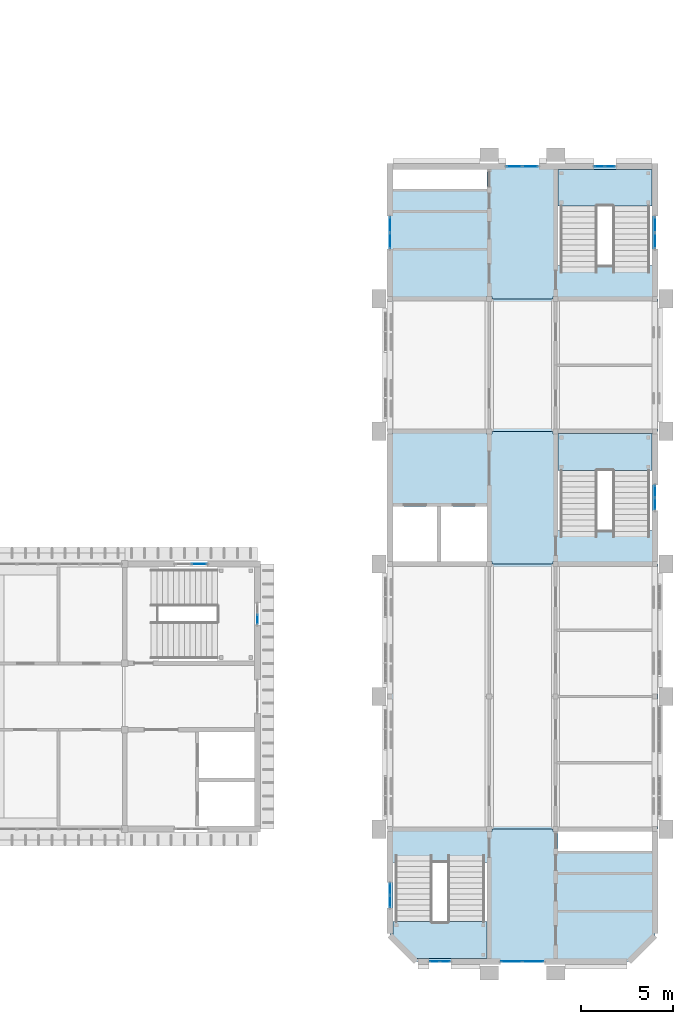
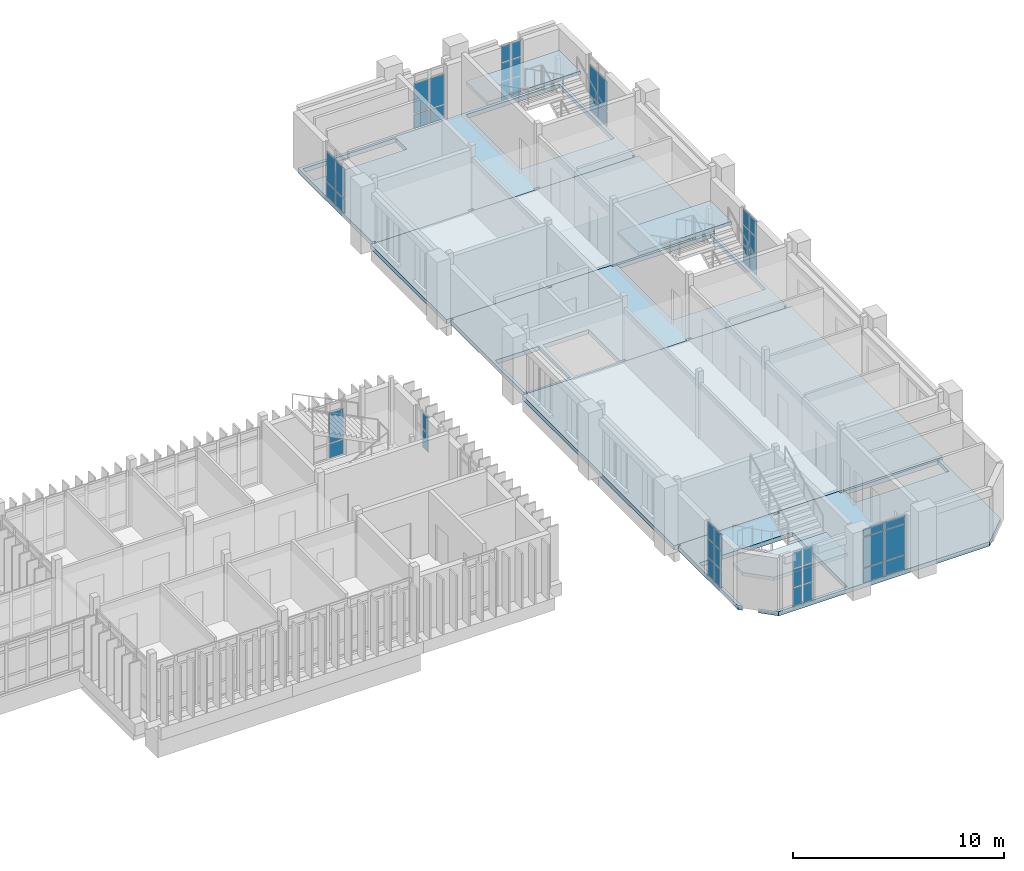
# One storey, part 35 of 69: 46 plates, 8 slabs, 13 elements without a shape of their own.
"""IFC4 building model written with IfcOpenShell, lengths in metres."""

from ifc_helpers import new_model, si_unit, direction, frame, origin, origin_2d, place, context, subcontext, project, spatial, polyline, rectangle, outline, extrude, material, layer, layer_set, type_object, element, aggregate, save


model = new_model("IFC4")

# Units and contexts
model_context = context("Model", 3, precision=1e-05, world=origin(), true_north=direction((0.0, 1.0)))
body_context = subcontext(model_context, "Body", "Model", "MODEL_VIEW")
ifc_project = project(units=[si_unit("LENGTHUNIT", "METRE"), si_unit("AREAUNIT", "SQUARE_METRE"), si_unit("VOLUMEUNIT", "CUBIC_METRE"), si_unit("PLANEANGLEUNIT", "RADIAN"), si_unit("MASSUNIT", "GRAM", prefix="KILO")], contexts=[model_context])

# Site, building, storey
site_placement = place(None, origin())
site = spatial("IfcSite", under=ifc_project, at=site_placement, CompositionType="ELEMENT")
building_placement = place(site_placement, origin())
building = spatial("IfcBuilding", under=site, at=building_placement, Name="Mazhai Court Health Centre", CompositionType="ELEMENT")
storey_placement = place(building_placement, frame((0.0, 0.0, 6.300048828125)))
storey = spatial("IfcBuildingStorey", under=building, at=storey_placement, Name="L01", CompositionType="ELEMENT", Elevation=6.300048828125)

# Curtain wall, plates
ifc_material_1 = material(Name="Teak timber frame, glazed", Category="wood")
ifc_layer_1 = layer(ifc_material_1, 0.10009765625)
ifc_layer_set_1 = layer_set([ifc_layer_1], Name="CURTAIN WALL TIMBER 900")
curtain_wall_type_1 = type_object("IfcCurtainWallType", Name="CURTAIN WALL TIMBER 900", PredefinedType="NOTDEFINED", material=ifc_layer_set_1)
curtain_wall_1_placement = place(storey_placement, origin())
curtain_wall_1 = element("IfcCurtainWall", 1, at=curtain_wall_1_placement, inside=storey, type_object=curtain_wall_type_1, Name="CW-V4-L01-B7", PredefinedType="NOTDEFINED")
ifc_material_2 = material(Name="Glass IGU 28 mm", Category="glass")
ifc_layer_2 = layer(ifc_material_2, 0.028076171875)
ifc_layer_set_2 = layer_set([ifc_layer_2], Name="CW PANEL IGU 28")
plate_type = type_object("IfcPlateType", Name="CW PANEL IGU 28", PredefinedType="CURTAIN_PANEL", material=ifc_layer_set_2)
plate_1_placement = place(storey_placement, frame((125.43505859375, 27.800048828125, 0.059814453125), z_axis=(0.0, 0.0, 1.0), x_axis=(1.0, 0.0, 0.0)))
plate_1 = element("IfcPlate", 2, at=plate_1_placement, type_object=plate_type, Name="CW panel 2.1", PredefinedType="CURTAIN_PANEL", context=body_context, shape_type="SweptSolid", body=[
    extrude(rectangle(XDim=0.81005859375, YDim=0.028076171875, at=origin_2d()), origin(), (0.0, 0.0, 1.0), 0.81005859375),
])
plate_2_placement = place(storey_placement, frame((125.43505859375, 27.800048828125, 0.93017578125), z_axis=(0.0, 0.0, 1.0), x_axis=(1.0, 0.0, 0.0)))
plate_2 = element("IfcPlate", 3, at=plate_2_placement, type_object=plate_type, Name="CW panel 2.2", PredefinedType="CURTAIN_PANEL", context=body_context, shape_type="SweptSolid", body=[
    extrude(rectangle(XDim=0.81005859375, YDim=0.028076171875, at=origin_2d()), origin(), (0.0, 0.0, 1.0), 1.739990234375),
])
aggregate(curtain_wall_1, [plate_1, plate_2])

ifc_material_3 = material(Name="Teak timber frame, glazed", Category="wood")
ifc_layer_3 = layer(ifc_material_3, 0.10009765625)
ifc_layer_set_3 = layer_set([ifc_layer_3], Name="CURTAIN WALL TIMBER 600")
curtain_wall_type_2 = type_object("IfcCurtainWallType", Name="CURTAIN WALL TIMBER 600", PredefinedType="NOTDEFINED", material=ifc_layer_set_3)
curtain_wall_2_placement = place(storey_placement, origin())
curtain_wall_2 = element("IfcCurtainWall", 4, at=curtain_wall_2_placement, inside=storey, type_object=curtain_wall_type_2, Name="CW-V4-L01-ESTAIR1", PredefinedType="NOTDEFINED")
plate_3_placement = place(storey_placement, frame((128.60009765625, 24.794921875, 1.1298828125), z_axis=(0.0, 0.0, 1.0), x_axis=(0.0, -1.0, 0.0)))
plate_3 = element("IfcPlate", 5, at=plate_3_placement, type_object=plate_type, Name="CW panel 2.2", PredefinedType="CURTAIN_PANEL", context=body_context, shape_type="SweptSolid", body=[
    extrude(rectangle(XDim=0.510009765625, YDim=0.028076171875, at=origin_2d()), origin(), (0.0, 0.0, 1.0), 1.0400390625),
])
plate_4_placement = place(storey_placement, frame((128.60009765625, 24.794921875, 2.22998046875), z_axis=(0.0, 0.0, 1.0), x_axis=(0.0, -1.0, 0.0)))
plate_4 = element("IfcPlate", 6, at=plate_4_placement, type_object=plate_type, Name="CW panel 2.3", PredefinedType="CURTAIN_PANEL", context=body_context, shape_type="SweptSolid", body=[
    extrude(rectangle(XDim=0.510009765625, YDim=0.028076171875, at=origin_2d()), origin(), (0.0, 0.0, 1.0), 0.909912109375),
])
aggregate(curtain_wall_2, [plate_3, plate_4])

curtain_wall_3_placement = place(storey_placement, origin())
curtain_wall_3 = element("IfcCurtainWall", 7, at=curtain_wall_3_placement, inside=storey, type_object=curtain_wall_type_2, Name="CW-V6-L01-A0", PredefinedType="NOTDEFINED")
plate_5_placement = place(storey_placement, frame((135.800048828125, 9.465087890625, 0.06005859375), z_axis=(0.0, 0.0, 1.0), x_axis=(0.0, 1.0, 0.0)))
plate_5 = element("IfcPlate", 8, at=plate_5_placement, type_object=plate_type, Name="CW panel 1.1", PredefinedType="CURTAIN_PANEL", context=body_context, shape_type="SweptSolid", body=[
    extrude(rectangle(XDim=0.610107421875, YDim=0.028076171875, at=origin_2d()), origin(), (0.0, 0.0, 1.0), 1.010009765625),
])
plate_6_placement = place(storey_placement, frame((135.800048828125, 9.465087890625, 1.1298828125), z_axis=(0.0, 0.0, 1.0), x_axis=(0.0, 1.0, 0.0)))
plate_6 = element("IfcPlate", 9, at=plate_6_placement, type_object=plate_type, Name="CW panel 1.2", PredefinedType="CURTAIN_PANEL", context=body_context, shape_type="SweptSolid", body=[
    extrude(rectangle(XDim=0.610107421875, YDim=0.028076171875, at=origin_2d()), origin(), (0.0, 0.0, 1.0), 1.06005859375),
])
plate_7_placement = place(storey_placement, frame((135.800048828125, 9.465087890625, 2.25), z_axis=(0.0, 0.0, 1.0), x_axis=(0.0, 1.0, 0.0)))
plate_7 = element("IfcPlate", 10, at=plate_7_placement, type_object=plate_type, Name="CW panel 1.3", PredefinedType="CURTAIN_PANEL", context=body_context, shape_type="SweptSolid", body=[
    extrude(rectangle(XDim=0.610107421875, YDim=0.028076171875, at=origin_2d()), origin(), (0.0, 0.0, 1.0), 0.909912109375),
])
plate_8_placement = place(storey_placement, frame((135.800048828125, 10.135009765625, 0.06005859375), z_axis=(0.0, 0.0, 1.0), x_axis=(0.0, 1.0, 0.0)))
plate_8 = element("IfcPlate", 11, at=plate_8_placement, type_object=plate_type, Name="CW panel 2.1", PredefinedType="CURTAIN_PANEL", context=body_context, shape_type="SweptSolid", body=[
    extrude(rectangle(XDim=0.610107421875, YDim=0.028076171875, at=origin_2d()), origin(), (0.0, 0.0, 1.0), 1.010009765625),
])
plate_9_placement = place(storey_placement, frame((135.800048828125, 10.135009765625, 1.1298828125), z_axis=(0.0, 0.0, 1.0), x_axis=(0.0, 1.0, 0.0)))
plate_9 = element("IfcPlate", 12, at=plate_9_placement, type_object=plate_type, Name="CW panel 2.2", PredefinedType="CURTAIN_PANEL", context=body_context, shape_type="SweptSolid", body=[
    extrude(rectangle(XDim=0.610107421875, YDim=0.028076171875, at=origin_2d()), origin(), (0.0, 0.0, 1.0), 1.06005859375),
])
plate_10_placement = place(storey_placement, frame((135.800048828125, 10.135009765625, 2.25), z_axis=(0.0, 0.0, 1.0), x_axis=(0.0, 1.0, 0.0)))
plate_10 = element("IfcPlate", 13, at=plate_10_placement, type_object=plate_type, Name="CW panel 2.3", PredefinedType="CURTAIN_PANEL", context=body_context, shape_type="SweptSolid", body=[
    extrude(rectangle(XDim=0.610107421875, YDim=0.028076171875, at=origin_2d()), origin(), (0.0, 0.0, 1.0), 0.909912109375),
])
aggregate(curtain_wall_3, [plate_5, plate_6, plate_7, plate_8, plate_9, plate_10])

curtain_wall_4_placement = place(storey_placement, origin())
curtain_wall_4 = element("IfcCurtainWall", 14, at=curtain_wall_4_placement, inside=storey, type_object=curtain_wall_type_1, Name="CW-V6-L01-A5", PredefinedType="NOTDEFINED")
plate_11_placement = place(storey_placement, frame((135.800048828125, 45.364990234375, 0.059814453125), z_axis=(0.0, 0.0, 1.0), x_axis=(0.0, 1.0, 0.0)))
plate_11 = element("IfcPlate", 15, at=plate_11_placement, type_object=plate_type, Name="CW panel 1.1", PredefinedType="CURTAIN_PANEL", context=body_context, shape_type="SweptSolid", body=[
    extrude(rectangle(XDim=0.81005859375, YDim=0.028076171875, at=origin_2d()), origin(), (0.0, 0.0, 1.0), 0.81005859375),
])
plate_12_placement = place(storey_placement, frame((135.800048828125, 45.364990234375, 0.93017578125), z_axis=(0.0, 0.0, 1.0), x_axis=(0.0, 1.0, 0.0)))
plate_12 = element("IfcPlate", 16, at=plate_12_placement, type_object=plate_type, Name="CW panel 1.2", PredefinedType="CURTAIN_PANEL", context=body_context, shape_type="SweptSolid", body=[
    extrude(rectangle(XDim=0.81005859375, YDim=0.028076171875, at=origin_2d()), origin(), (0.0, 0.0, 1.0), 1.739990234375),
])
plate_13_placement = place(storey_placement, frame((135.800048828125, 46.235107421875, 0.059814453125), z_axis=(0.0, 0.0, 1.0), x_axis=(0.0, 1.0, 0.0)))
plate_13 = element("IfcPlate", 17, at=plate_13_placement, type_object=plate_type, Name="CW panel 2.1", PredefinedType="CURTAIN_PANEL", context=body_context, shape_type="SweptSolid", body=[
    extrude(rectangle(XDim=0.81005859375, YDim=0.028076171875, at=origin_2d()), origin(), (0.0, 0.0, 1.0), 0.81005859375),
])
plate_14_placement = place(storey_placement, frame((135.800048828125, 46.235107421875, 0.93017578125), z_axis=(0.0, 0.0, 1.0), x_axis=(0.0, 1.0, 0.0)))
plate_14 = element("IfcPlate", 18, at=plate_14_placement, type_object=plate_type, Name="CW panel 2.2", PredefinedType="CURTAIN_PANEL", context=body_context, shape_type="SweptSolid", body=[
    extrude(rectangle(XDim=0.81005859375, YDim=0.028076171875, at=origin_2d()), origin(), (0.0, 0.0, 1.0), 1.739990234375),
])
aggregate(curtain_wall_4, [plate_11, plate_12, plate_13, plate_14])

curtain_wall_5_placement = place(storey_placement, origin())
curtain_wall_5 = element("IfcCurtainWall", 19, at=curtain_wall_5_placement, inside=storey, type_object=curtain_wall_type_2, Name="CW-V6-L01-B3", PredefinedType="NOTDEFINED")
plate_15_placement = place(storey_placement, frame((150.199951171875, 31.735107421875, 0.06005859375), z_axis=(0.0, 0.0, 1.0), x_axis=(0.0, -1.0, 0.0)))
plate_15 = element("IfcPlate", 20, at=plate_15_placement, type_object=plate_type, Name="CW panel 1.1", PredefinedType="CURTAIN_PANEL", context=body_context, shape_type="SweptSolid", body=[
    extrude(rectangle(XDim=0.610107421875, YDim=0.028076171875, at=origin_2d()), origin(), (0.0, 0.0, 1.0), 1.010009765625),
])
plate_16_placement = place(storey_placement, frame((150.199951171875, 31.735107421875, 1.1298828125), z_axis=(0.0, 0.0, 1.0), x_axis=(0.0, -1.0, 0.0)))
plate_16 = element("IfcPlate", 21, at=plate_16_placement, type_object=plate_type, Name="CW panel 1.2", PredefinedType="CURTAIN_PANEL", context=body_context, shape_type="SweptSolid", body=[
    extrude(rectangle(XDim=0.610107421875, YDim=0.028076171875, at=origin_2d()), origin(), (0.0, 0.0, 1.0), 1.06005859375),
])
plate_17_placement = place(storey_placement, frame((150.199951171875, 31.735107421875, 2.25), z_axis=(0.0, 0.0, 1.0), x_axis=(0.0, -1.0, 0.0)))
plate_17 = element("IfcPlate", 22, at=plate_17_placement, type_object=plate_type, Name="CW panel 1.3", PredefinedType="CURTAIN_PANEL", context=body_context, shape_type="SweptSolid", body=[
    extrude(rectangle(XDim=0.610107421875, YDim=0.028076171875, at=origin_2d()), origin(), (0.0, 0.0, 1.0), 0.909912109375),
])
plate_18_placement = place(storey_placement, frame((150.199951171875, 31.06494140625, 0.06005859375), z_axis=(0.0, 0.0, 1.0), x_axis=(0.0, -1.0, 0.0)))
plate_18 = element("IfcPlate", 23, at=plate_18_placement, type_object=plate_type, Name="CW panel 2.1", PredefinedType="CURTAIN_PANEL", context=body_context, shape_type="SweptSolid", body=[
    extrude(rectangle(XDim=0.610107421875, YDim=0.028076171875, at=origin_2d()), origin(), (0.0, 0.0, 1.0), 1.010009765625),
])
plate_19_placement = place(storey_placement, frame((150.199951171875, 31.06494140625, 1.1298828125), z_axis=(0.0, 0.0, 1.0), x_axis=(0.0, -1.0, 0.0)))
plate_19 = element("IfcPlate", 24, at=plate_19_placement, type_object=plate_type, Name="CW panel 2.2", PredefinedType="CURTAIN_PANEL", context=body_context, shape_type="SweptSolid", body=[
    extrude(rectangle(XDim=0.610107421875, YDim=0.028076171875, at=origin_2d()), origin(), (0.0, 0.0, 1.0), 1.06005859375),
])
plate_20_placement = place(storey_placement, frame((150.199951171875, 31.06494140625, 2.25), z_axis=(0.0, 0.0, 1.0), x_axis=(0.0, -1.0, 0.0)))
plate_20 = element("IfcPlate", 25, at=plate_20_placement, type_object=plate_type, Name="CW panel 2.3", PredefinedType="CURTAIN_PANEL", context=body_context, shape_type="SweptSolid", body=[
    extrude(rectangle(XDim=0.610107421875, YDim=0.028076171875, at=origin_2d()), origin(), (0.0, 0.0, 1.0), 0.909912109375),
])
aggregate(curtain_wall_5, [plate_15, plate_16, plate_17, plate_18, plate_19, plate_20])

curtain_wall_6_placement = place(storey_placement, origin())
curtain_wall_6 = element("IfcCurtainWall", 26, at=curtain_wall_6_placement, inside=storey, type_object=curtain_wall_type_1, Name="CW-V6-L01-B5", PredefinedType="NOTDEFINED")
plate_21_placement = place(storey_placement, frame((150.199951171875, 46.235107421875, 0.059814453125), z_axis=(0.0, 0.0, 1.0), x_axis=(0.0, -1.0, 0.0)))
plate_21 = element("IfcPlate", 27, at=plate_21_placement, type_object=plate_type, Name="CW panel 1.1", PredefinedType="CURTAIN_PANEL", context=body_context, shape_type="SweptSolid", body=[
    extrude(rectangle(XDim=0.81005859375, YDim=0.028076171875, at=origin_2d()), origin(), (0.0, 0.0, 1.0), 0.81005859375),
])
plate_22_placement = place(storey_placement, frame((150.199951171875, 46.235107421875, 0.93017578125), z_axis=(0.0, 0.0, 1.0), x_axis=(0.0, -1.0, 0.0)))
plate_22 = element("IfcPlate", 28, at=plate_22_placement, type_object=plate_type, Name="CW panel 1.2", PredefinedType="CURTAIN_PANEL", context=body_context, shape_type="SweptSolid", body=[
    extrude(rectangle(XDim=0.81005859375, YDim=0.028076171875, at=origin_2d()), origin(), (0.0, 0.0, 1.0), 1.739990234375),
])
plate_23_placement = place(storey_placement, frame((150.199951171875, 45.364990234375, 0.059814453125), z_axis=(0.0, 0.0, 1.0), x_axis=(0.0, -1.0, 0.0)))
plate_23 = element("IfcPlate", 29, at=plate_23_placement, type_object=plate_type, Name="CW panel 2.1", PredefinedType="CURTAIN_PANEL", context=body_context, shape_type="SweptSolid", body=[
    extrude(rectangle(XDim=0.81005859375, YDim=0.028076171875, at=origin_2d()), origin(), (0.0, 0.0, 1.0), 0.81005859375),
])
plate_24_placement = place(storey_placement, frame((150.199951171875, 45.364990234375, 0.93017578125), z_axis=(0.0, 0.0, 1.0), x_axis=(0.0, -1.0, 0.0)))
plate_24 = element("IfcPlate", 30, at=plate_24_placement, type_object=plate_type, Name="CW panel 2.2", PredefinedType="CURTAIN_PANEL", context=body_context, shape_type="SweptSolid", body=[
    extrude(rectangle(XDim=0.81005859375, YDim=0.028076171875, at=origin_2d()), origin(), (0.0, 0.0, 1.0), 1.739990234375),
])
aggregate(curtain_wall_6, [plate_21, plate_22, plate_23, plate_24])

curtain_wall_7_placement = place(storey_placement, origin())
curtain_wall_7 = element("IfcCurtainWall", 31, at=curtain_wall_7_placement, inside=storey, type_object=curtain_wall_type_2, Name="CW-V6-L01-SSTAIR0", PredefinedType="NOTDEFINED")
plate_25_placement = place(storey_placement, frame((138.804931640625, 6.199951171875, 0.06005859375), z_axis=(0.0, 0.0, 1.0), x_axis=(-1.0, 0.0, 0.0)))
plate_25 = element("IfcPlate", 32, at=plate_25_placement, type_object=plate_type, Name="CW panel 1.1", PredefinedType="CURTAIN_PANEL", context=body_context, shape_type="SweptSolid", body=[
    extrude(rectangle(XDim=0.510009765625, YDim=0.028076171875, at=origin_2d()), origin(), (0.0, 0.0, 1.0), 1.010009765625),
])
plate_26_placement = place(storey_placement, frame((138.804931640625, 6.199951171875, 1.1298828125), z_axis=(0.0, 0.0, 1.0), x_axis=(-1.0, 0.0, 0.0)))
plate_26 = element("IfcPlate", 33, at=plate_26_placement, type_object=plate_type, Name="CW panel 1.2", PredefinedType="CURTAIN_PANEL", context=body_context, shape_type="SweptSolid", body=[
    extrude(rectangle(XDim=0.510009765625, YDim=0.028076171875, at=origin_2d()), origin(), (0.0, 0.0, 1.0), 1.0400390625),
])
plate_27_placement = place(storey_placement, frame((138.804931640625, 6.199951171875, 2.22998046875), z_axis=(0.0, 0.0, 1.0), x_axis=(-1.0, 0.0, 0.0)))
plate_27 = element("IfcPlate", 34, at=plate_27_placement, type_object=plate_type, Name="CW panel 1.3", PredefinedType="CURTAIN_PANEL", context=body_context, shape_type="SweptSolid", body=[
    extrude(rectangle(XDim=0.510009765625, YDim=0.028076171875, at=origin_2d()), origin(), (0.0, 0.0, 1.0), 0.909912109375),
])
plate_28_placement = place(storey_placement, frame((138.235107421875, 6.199951171875, 0.06005859375), z_axis=(0.0, 0.0, 1.0), x_axis=(-1.0, 0.0, 0.0)))
plate_28 = element("IfcPlate", 35, at=plate_28_placement, type_object=plate_type, Name="CW panel 2.1", PredefinedType="CURTAIN_PANEL", context=body_context, shape_type="SweptSolid", body=[
    extrude(rectangle(XDim=0.510009765625, YDim=0.028076171875, at=origin_2d()), origin(), (0.0, 0.0, 1.0), 1.010009765625),
])
plate_29_placement = place(storey_placement, frame((138.235107421875, 6.199951171875, 1.1298828125), z_axis=(0.0, 0.0, 1.0), x_axis=(-1.0, 0.0, 0.0)))
plate_29 = element("IfcPlate", 36, at=plate_29_placement, type_object=plate_type, Name="CW panel 2.2", PredefinedType="CURTAIN_PANEL", context=body_context, shape_type="SweptSolid", body=[
    extrude(rectangle(XDim=0.510009765625, YDim=0.028076171875, at=origin_2d()), origin(), (0.0, 0.0, 1.0), 1.0400390625),
])
plate_30_placement = place(storey_placement, frame((138.235107421875, 6.199951171875, 2.22998046875), z_axis=(0.0, 0.0, 1.0), x_axis=(-1.0, 0.0, 0.0)))
plate_30 = element("IfcPlate", 37, at=plate_30_placement, type_object=plate_type, Name="CW panel 2.3", PredefinedType="CURTAIN_PANEL", context=body_context, shape_type="SweptSolid", body=[
    extrude(rectangle(XDim=0.510009765625, YDim=0.028076171875, at=origin_2d()), origin(), (0.0, 0.0, 1.0), 0.909912109375),
])
aggregate(curtain_wall_7, [plate_25, plate_26, plate_27, plate_28, plate_29, plate_30])

ifc_material_4 = material(Name="Teak timber frame, glazed", Category="wood")
ifc_layer_4 = layer(ifc_material_4, 0.10009765625)
ifc_layer_set_4 = layer_set([ifc_layer_4], Name="CURTAIN WALL TIMBER 1200")
curtain_wall_type_3 = type_object("IfcCurtainWallType", Name="CURTAIN WALL TIMBER 1200", PredefinedType="NOTDEFINED", material=ifc_layer_set_4)
curtain_wall_8_placement = place(storey_placement, origin())
curtain_wall_8 = element("IfcCurtainWall", 38, at=curtain_wall_8_placement, inside=storey, type_object=curtain_wall_type_3, Name="CW-V6-L01-SEND1", PredefinedType="NOTDEFINED")
plate_31_placement = place(storey_placement, frame((143.5849609375, 6.199951171875, 0.059814453125), z_axis=(0.0, 0.0, 1.0), x_axis=(-1.0, 0.0, 0.0)))
plate_31 = element("IfcPlate", 39, at=plate_31_placement, type_object=plate_type, Name="CW panel 1.1", PredefinedType="CURTAIN_PANEL", context=body_context, shape_type="SweptSolid", body=[
    extrude(rectangle(XDim=1.110107421875, YDim=0.028076171875, at=origin_2d()), origin(), (0.0, 0.0, 1.0), 0.81005859375),
])
plate_32_placement = place(storey_placement, frame((143.5849609375, 6.199951171875, 0.93017578125), z_axis=(0.0, 0.0, 1.0), x_axis=(-1.0, 0.0, 0.0)))
plate_32 = element("IfcPlate", 40, at=plate_32_placement, type_object=plate_type, Name="CW panel 1.2", PredefinedType="CURTAIN_PANEL", context=body_context, shape_type="SweptSolid", body=[
    extrude(rectangle(XDim=1.110107421875, YDim=0.028076171875, at=origin_2d()), origin(), (0.0, 0.0, 1.0), 1.739990234375),
])
plate_33_placement = place(storey_placement, frame((143.5849609375, 6.199951171875, 2.72998046875), z_axis=(0.0, 0.0, 1.0), x_axis=(-1.0, 0.0, 0.0)))
plate_33 = element("IfcPlate", 41, at=plate_33_placement, type_object=plate_type, Name="CW panel 1.3", PredefinedType="CURTAIN_PANEL", context=body_context, shape_type="SweptSolid", body=[
    extrude(rectangle(XDim=1.110107421875, YDim=0.028076171875, at=origin_2d()), origin(), (0.0, 0.0, 1.0), 0.409912109375),
])
plate_34_placement = place(storey_placement, frame((142.4150390625, 6.199951171875, 0.059814453125), z_axis=(0.0, 0.0, 1.0), x_axis=(-1.0, 0.0, 0.0)))
plate_34 = element("IfcPlate", 42, at=plate_34_placement, type_object=plate_type, Name="CW panel 2.1", PredefinedType="CURTAIN_PANEL", context=body_context, shape_type="SweptSolid", body=[
    extrude(rectangle(XDim=1.110107421875, YDim=0.028076171875, at=origin_2d()), origin(), (0.0, 0.0, 1.0), 0.81005859375),
])
plate_35_placement = place(storey_placement, frame((142.4150390625, 6.199951171875, 0.93017578125), z_axis=(0.0, 0.0, 1.0), x_axis=(-1.0, 0.0, 0.0)))
plate_35 = element("IfcPlate", 43, at=plate_35_placement, type_object=plate_type, Name="CW panel 2.2", PredefinedType="CURTAIN_PANEL", context=body_context, shape_type="SweptSolid", body=[
    extrude(rectangle(XDim=1.110107421875, YDim=0.028076171875, at=origin_2d()), origin(), (0.0, 0.0, 1.0), 1.739990234375),
])
plate_36_placement = place(storey_placement, frame((142.4150390625, 6.199951171875, 2.72998046875), z_axis=(0.0, 0.0, 1.0), x_axis=(-1.0, 0.0, 0.0)))
plate_36 = element("IfcPlate", 44, at=plate_36_placement, type_object=plate_type, Name="CW panel 2.3", PredefinedType="CURTAIN_PANEL", context=body_context, shape_type="SweptSolid", body=[
    extrude(rectangle(XDim=1.110107421875, YDim=0.028076171875, at=origin_2d()), origin(), (0.0, 0.0, 1.0), 0.409912109375),
])
aggregate(curtain_wall_8, [plate_31, plate_32, plate_33, plate_34, plate_35, plate_36])

curtain_wall_9_placement = place(storey_placement, origin())
curtain_wall_9 = element("IfcCurtainWall", 45, at=curtain_wall_9_placement, inside=storey, type_object=curtain_wall_type_1, Name="CW-V6-L01-ELIFT0", PredefinedType="NOTDEFINED")
plate_37_placement = place(storey_placement, frame((142.56494140625, 49.39990234375, 0.059814453125), z_axis=(0.0, 0.0, 1.0), x_axis=(1.0, 0.0, 0.0)))
plate_37 = element("IfcPlate", 46, at=plate_37_placement, type_object=plate_type, Name="CW panel 1.1", PredefinedType="CURTAIN_PANEL", context=body_context, shape_type="SweptSolid", body=[
    extrude(rectangle(XDim=0.81005859375, YDim=0.028076171875, at=origin_2d()), origin(), (0.0, 0.0, 1.0), 0.81005859375),
])
plate_38_placement = place(storey_placement, frame((142.56494140625, 49.39990234375, 0.93017578125), z_axis=(0.0, 0.0, 1.0), x_axis=(1.0, 0.0, 0.0)))
plate_38 = element("IfcPlate", 47, at=plate_38_placement, type_object=plate_type, Name="CW panel 1.2", PredefinedType="CURTAIN_PANEL", context=body_context, shape_type="SweptSolid", body=[
    extrude(rectangle(XDim=0.81005859375, YDim=0.028076171875, at=origin_2d()), origin(), (0.0, 0.0, 1.0), 1.739990234375),
])
plate_39_placement = place(storey_placement, frame((143.43505859375, 49.39990234375, 0.059814453125), z_axis=(0.0, 0.0, 1.0), x_axis=(1.0, 0.0, 0.0)))
plate_39 = element("IfcPlate", 48, at=plate_39_placement, type_object=plate_type, Name="CW panel 2.1", PredefinedType="CURTAIN_PANEL", context=body_context, shape_type="SweptSolid", body=[
    extrude(rectangle(XDim=0.81005859375, YDim=0.028076171875, at=origin_2d()), origin(), (0.0, 0.0, 1.0), 0.81005859375),
])
plate_40_placement = place(storey_placement, frame((143.43505859375, 49.39990234375, 0.93017578125), z_axis=(0.0, 0.0, 1.0), x_axis=(1.0, 0.0, 0.0)))
plate_40 = element("IfcPlate", 49, at=plate_40_placement, type_object=plate_type, Name="CW panel 2.2", PredefinedType="CURTAIN_PANEL", context=body_context, shape_type="SweptSolid", body=[
    extrude(rectangle(XDim=0.81005859375, YDim=0.028076171875, at=origin_2d()), origin(), (0.0, 0.0, 1.0), 1.739990234375),
])
aggregate(curtain_wall_9, [plate_37, plate_38, plate_39, plate_40])

curtain_wall_10_placement = place(storey_placement, origin())
curtain_wall_10 = element("IfcCurtainWall", 50, at=curtain_wall_10_placement, inside=storey, type_object=curtain_wall_type_2, Name="CW-V6-L01-ESTAIR1", PredefinedType="NOTDEFINED")
plate_41_placement = place(storey_placement, frame((147.195068359375, 49.39990234375, 0.06005859375), z_axis=(0.0, 0.0, 1.0), x_axis=(1.0, 0.0, 0.0)))
plate_41 = element("IfcPlate", 51, at=plate_41_placement, type_object=plate_type, Name="CW panel 1.1", PredefinedType="CURTAIN_PANEL", context=body_context, shape_type="SweptSolid", body=[
    extrude(rectangle(XDim=0.510009765625, YDim=0.028076171875, at=origin_2d()), origin(), (0.0, 0.0, 1.0), 1.010009765625),
])
plate_42_placement = place(storey_placement, frame((147.195068359375, 49.39990234375, 1.1298828125), z_axis=(0.0, 0.0, 1.0), x_axis=(1.0, 0.0, 0.0)))
plate_42 = element("IfcPlate", 52, at=plate_42_placement, type_object=plate_type, Name="CW panel 1.2", PredefinedType="CURTAIN_PANEL", context=body_context, shape_type="SweptSolid", body=[
    extrude(rectangle(XDim=0.510009765625, YDim=0.028076171875, at=origin_2d()), origin(), (0.0, 0.0, 1.0), 1.0400390625),
])
plate_43_placement = place(storey_placement, frame((147.195068359375, 49.39990234375, 2.22998046875), z_axis=(0.0, 0.0, 1.0), x_axis=(1.0, 0.0, 0.0)))
plate_43 = element("IfcPlate", 53, at=plate_43_placement, type_object=plate_type, Name="CW panel 1.3", PredefinedType="CURTAIN_PANEL", context=body_context, shape_type="SweptSolid", body=[
    extrude(rectangle(XDim=0.510009765625, YDim=0.028076171875, at=origin_2d()), origin(), (0.0, 0.0, 1.0), 0.909912109375),
])
plate_44_placement = place(storey_placement, frame((147.764892578125, 49.39990234375, 0.06005859375), z_axis=(0.0, 0.0, 1.0), x_axis=(1.0, 0.0, 0.0)))
plate_44 = element("IfcPlate", 54, at=plate_44_placement, type_object=plate_type, Name="CW panel 2.1", PredefinedType="CURTAIN_PANEL", context=body_context, shape_type="SweptSolid", body=[
    extrude(rectangle(XDim=0.510009765625, YDim=0.028076171875, at=origin_2d()), origin(), (0.0, 0.0, 1.0), 1.010009765625),
])
plate_45_placement = place(storey_placement, frame((147.764892578125, 49.39990234375, 1.1298828125), z_axis=(0.0, 0.0, 1.0), x_axis=(1.0, 0.0, 0.0)))
plate_45 = element("IfcPlate", 55, at=plate_45_placement, type_object=plate_type, Name="CW panel 2.2", PredefinedType="CURTAIN_PANEL", context=body_context, shape_type="SweptSolid", body=[
    extrude(rectangle(XDim=0.510009765625, YDim=0.028076171875, at=origin_2d()), origin(), (0.0, 0.0, 1.0), 1.0400390625),
])
plate_46_placement = place(storey_placement, frame((147.764892578125, 49.39990234375, 2.22998046875), z_axis=(0.0, 0.0, 1.0), x_axis=(1.0, 0.0, 0.0)))
plate_46 = element("IfcPlate", 56, at=plate_46_placement, type_object=plate_type, Name="CW panel 2.3", PredefinedType="CURTAIN_PANEL", context=body_context, shape_type="SweptSolid", body=[
    extrude(rectangle(XDim=0.510009765625, YDim=0.028076171875, at=origin_2d()), origin(), (0.0, 0.0, 1.0), 0.909912109375),
])
aggregate(curtain_wall_10, [plate_41, plate_42, plate_43, plate_44, plate_45, plate_46])

# Slabs
ifc_material_5 = material(Name="Concrete M40", Category="concrete")
ifc_layer_5 = layer(ifc_material_5, 0.25)
ifc_layer_set_5 = layer_set([ifc_layer_5], Name="PODIUM SLAB 250 M40")
slab_type_1 = type_object("IfcSlabType", Name="PODIUM SLAB 250 M40", PredefinedType="FLOOR", material=ifc_layer_set_5)
slab_1_placement = place(storey_placement, frame((0.0, 0.0, -0.25)))
element("IfcSlab", 57, at=slab_1_placement, inside=storey, type_object=slab_type_1, Name="slab-podium-V6-1", PredefinedType="FLOOR", context=body_context, shape_type="SweptSolid", body=[
    extrude(outline(polyline([(150.364990234375, 13.39990234375), (150.364990234375, 27.800048828125), (135.635009765625, 27.800048828125), (135.635009765625, 13.39990234375), (150.364990234375, 13.39990234375)])), origin(), (0.0, 0.0, 1.0), 0.25),
])
slab_2_placement = place(storey_placement, frame((0.0, 0.0, -0.25)))
element("IfcSlab", 58, at=slab_2_placement, inside=storey, type_object=slab_type_1, Name="slab-podium-V6-2", PredefinedType="FLOOR", context=body_context, shape_type="SweptSolid", body=[
    extrude(outline(polyline([(150.364990234375, 35.0), (150.364990234375, 42.199951171875), (135.635009765625, 42.199951171875), (135.635009765625, 35.0), (150.364990234375, 35.0)])), origin(), (0.0, 0.0, 1.0), 0.25),
])
ifc_material_6 = material(Name="Concrete M40", Category="concrete")
ifc_layer_6 = layer(ifc_material_6, 0.25)
ifc_layer_set_6 = layer_set([ifc_layer_6], Name="RC CORE FLOOR 250 M40")
slab_type_2 = type_object("IfcSlabType", Name="RC CORE FLOOR 250 M40", PredefinedType="FLOOR", material=ifc_layer_set_6)
slab_3_placement = place(storey_placement, frame((0.0, 0.0, -0.25)))
element("IfcSlab", 59, at=slab_3_placement, inside=storey, type_object=slab_type_2, Name="core-C8-floor-L01", PredefinedType="FLOOR", context=body_context, shape_type="SweptSolid", body=[
    extrude(outline(polyline([(141.06005859375, 13.39990234375), (141.06005859375, 13.260009765625), (141.340087890625, 13.260009765625), (141.340087890625, 13.39990234375), (144.659912109375, 13.39990234375), (144.659912109375, 13.260009765625), (144.925048828125, 13.260009765625), (144.925048828125, 12.215087890625), (150.034912109375, 12.215087890625), (150.034912109375, 13.27490234375), (144.93994140625, 13.27490234375), (144.93994140625, 13.39990234375), (150.06005859375, 13.39990234375), (150.06005859375, 13.260009765625), (150.199951171875, 13.260009765625), (150.199951171875, 7.6142578125), (148.785888671875, 6.199951171875), (137.214111328125, 6.199951171875), (136.507080078125, 6.906982421875), (137.04931640625, 6.364990234375), (141.074951171875, 6.364990234375), (141.074951171875, 11.573486328125), (135.965087890625, 11.573486328125), (135.965087890625, 7.44921875), (135.800048828125, 7.6142578125), (135.800048828125, 13.260009765625), (135.93994140625, 13.260009765625), (135.93994140625, 13.39990234375), (141.06005859375, 13.39990234375)])), origin(), (0.0, 0.0, 1.0), 0.25),
])
slab_4_placement = place(storey_placement, frame((0.0, 0.0, -0.25)))
element("IfcSlab", 60, at=slab_4_placement, inside=storey, type_object=slab_type_2, Name="core-C9-floor-L01", PredefinedType="FLOOR", context=body_context, shape_type="SweptSolid", body=[
    extrude(outline(polyline([(135.93994140625, 34.860107421875), (135.93994140625, 35.0), (141.06005859375, 35.0), (141.06005859375, 34.860107421875), (141.340087890625, 34.860107421875), (141.340087890625, 35.0), (144.659912109375, 35.0), (144.659912109375, 34.860107421875), (144.925048828125, 34.860107421875), (144.925048828125, 29.62646484375), (150.034912109375, 29.62646484375), (150.034912109375, 34.875), (144.93994140625, 34.875), (144.93994140625, 35.0), (150.06005859375, 35.0), (150.06005859375, 34.860107421875), (150.199951171875, 34.860107421875), (150.199951171875, 27.93994140625), (150.06005859375, 27.93994140625), (150.06005859375, 27.800048828125), (144.93994140625, 27.800048828125), (144.93994140625, 27.93994140625), (144.659912109375, 27.93994140625), (144.659912109375, 27.800048828125), (141.340087890625, 27.800048828125), (141.340087890625, 27.93994140625), (141.074951171875, 27.93994140625), (141.074951171875, 30.925048828125), (138.56494140625, 30.925048828125), (138.56494140625, 27.925048828125), (141.06005859375, 27.925048828125), (141.06005859375, 27.800048828125), (135.93994140625, 27.800048828125), (135.93994140625, 27.93994140625), (135.800048828125, 27.93994140625), (135.800048828125, 34.860107421875), (135.93994140625, 34.860107421875)]), holes=[polyline([(135.965087890625, 30.925048828125), (135.965087890625, 27.925048828125), (138.364990234375, 27.925048828125), (138.364990234375, 30.925048828125), (135.965087890625, 30.925048828125)])]), origin(), (0.0, 0.0, 1.0), 0.25),
])
slab_5_placement = place(storey_placement, frame((0.0, 0.0, -0.25)))
element("IfcSlab", 61, at=slab_5_placement, inside=storey, type_object=slab_type_2, Name="core-C10-floor-L01", PredefinedType="FLOOR", context=body_context, shape_type="SweptSolid", body=[
    extrude(outline(polyline([(150.199951171875, 49.39990234375), (150.199951171875, 42.340087890625), (150.06005859375, 42.340087890625), (150.06005859375, 42.199951171875), (144.93994140625, 42.199951171875), (144.93994140625, 42.340087890625), (144.659912109375, 42.340087890625), (144.659912109375, 42.199951171875), (141.340087890625, 42.199951171875), (141.340087890625, 42.340087890625), (141.06005859375, 42.340087890625), (141.06005859375, 42.199951171875), (135.93994140625, 42.199951171875), (135.93994140625, 42.340087890625), (135.800048828125, 42.340087890625), (135.800048828125, 49.39990234375), (150.199951171875, 49.39990234375)]), holes=[polyline([(144.925048828125, 44.026611328125), (150.034912109375, 44.026611328125), (150.034912109375, 49.235107421875), (144.925048828125, 49.235107421875), (144.925048828125, 44.026611328125)]), polyline([(135.965087890625, 49.235107421875), (135.965087890625, 48.175048828125), (141.074951171875, 48.175048828125), (141.074951171875, 49.235107421875), (135.965087890625, 49.235107421875)])]), origin(), (0.0, 0.0, 1.0), 0.25),
])

# Stair, slab
ifc_material_7 = material(Name="Concrete M40", Category="concrete")
stair_type = type_object("IfcStairType", Name="RC STAIR 2000 26R", PredefinedType="DOUBLE_RETURN_STAIR", material=ifc_material_7)
stair_1_placement = place(storey_placement, origin())
stair_1 = element("IfcStair", 62, at=stair_1_placement, inside=storey, type_object=stair_type, Name="L01 Stair 8", PredefinedType="HALF_TURN_STAIR")
ifc_material_8 = material(Name="Concrete M40", Category="concrete")
ifc_layer_7 = layer(ifc_material_8, 0.199951171875)
ifc_layer_set_7 = layer_set([ifc_layer_7], Name="RC STAIR LANDING 200 M40")
slab_type_3 = type_object("IfcSlabType", Name="RC STAIR LANDING 200 M40", PredefinedType="LANDING", material=ifc_layer_set_7)
slab_6_placement = place(storey_placement, frame((0.0, 0.0, 1.75)))
slab_6 = element("IfcSlab", 63, at=slab_6_placement, type_object=slab_type_3, Name="ST8 landing 1", PredefinedType="LANDING", context=body_context, shape_type="SweptSolid", body=[
    extrude(outline(polyline([(141.074951171875, 8.364990234375), (141.074951171875, 6.364990234375), (137.04931640625, 6.364990234375), (135.965087890625, 7.44921875), (135.965087890625, 8.364990234375), (141.074951171875, 8.364990234375)])), origin(), (0.0, 0.0, 1.0), 0.199951171875),
])
aggregate(stair_1, [slab_6])

stair_2_placement = place(storey_placement, origin())
stair_2 = element("IfcStair", 64, at=stair_2_placement, inside=storey, type_object=stair_type, Name="L01 Stair 9", PredefinedType="HALF_TURN_STAIR")
slab_7_placement = place(storey_placement, frame((0.0, 0.0, 1.75)))
slab_7 = element("IfcSlab", 65, at=slab_7_placement, type_object=slab_type_3, Name="ST9 landing 1", PredefinedType="LANDING", context=body_context, shape_type="SweptSolid", body=[
    extrude(outline(polyline([(150.034912109375, 32.875), (150.034912109375, 34.875), (144.925048828125, 34.875), (144.925048828125, 32.875), (150.034912109375, 32.875)])), origin(), (0.0, 0.0, 1.0), 0.199951171875),
])
aggregate(stair_2, [slab_7])

stair_3_placement = place(storey_placement, origin())
stair_3 = element("IfcStair", 66, at=stair_3_placement, inside=storey, type_object=stair_type, Name="L01 Stair 10", PredefinedType="HALF_TURN_STAIR")
slab_8_placement = place(storey_placement, frame((0.0, 0.0, 1.75)))
slab_8 = element("IfcSlab", 67, at=slab_8_placement, type_object=slab_type_3, Name="ST10 landing 1", PredefinedType="LANDING", context=body_context, shape_type="SweptSolid", body=[
    extrude(outline(polyline([(150.034912109375, 47.235107421875), (150.034912109375, 49.235107421875), (144.925048828125, 49.235107421875), (144.925048828125, 47.235107421875), (150.034912109375, 47.235107421875)])), origin(), (0.0, 0.0, 1.0), 0.199951171875),
])
aggregate(stair_3, [slab_8])

save(model, "model.ifc")
